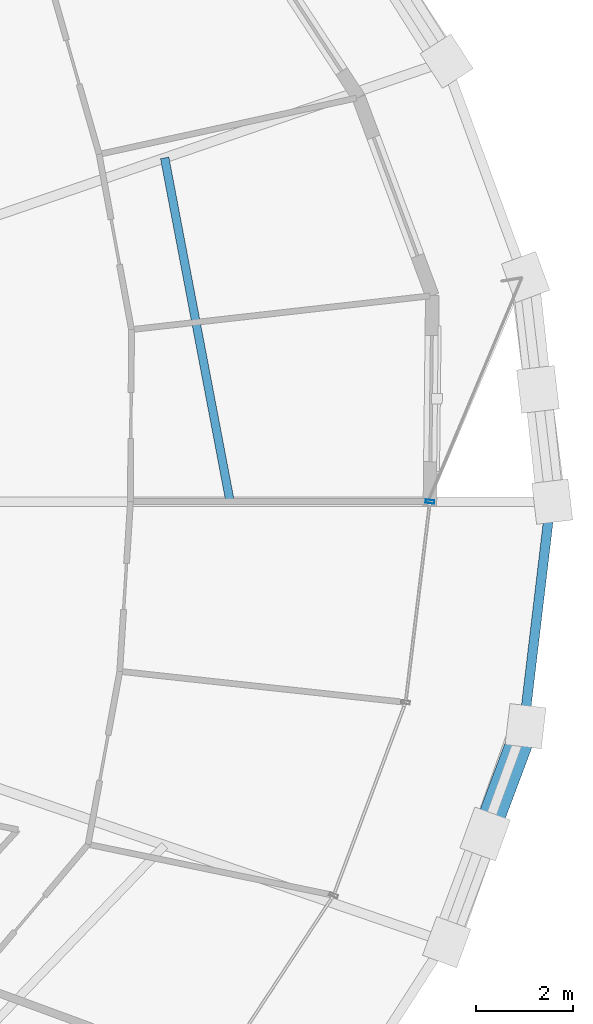
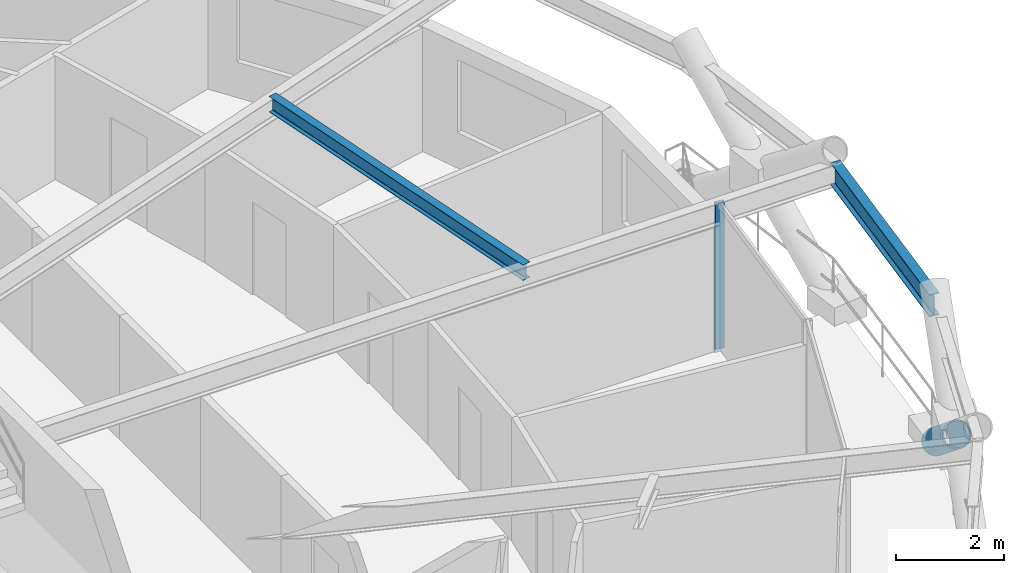
# One storey, part 11 of 21: 2 beams, 2 members, 1 element without a shape of its own.
"""IFC4 building model written with IfcOpenShell, lengths in metres."""

from ifc_helpers import new_model, si_unit, direction, frame, origin, origin_2d, place, context, subcontext, project, spatial, hollow_rectangle, hollow_circle, i_section, extrude, material, layer, layer_set, material_profile, profile_set, type_object, element, aggregate, save


model = new_model("IFC4")

# Units and contexts
model_context = context("Model", 3, precision=1e-05, world=origin(), true_north=direction((0.0, 1.0)))
body_context = subcontext(model_context, "Body", "Model", "MODEL_VIEW")
ifc_project = project(units=[si_unit("LENGTHUNIT", "METRE"), si_unit("AREAUNIT", "SQUARE_METRE"), si_unit("VOLUMEUNIT", "CUBIC_METRE"), si_unit("PLANEANGLEUNIT", "RADIAN"), si_unit("MASSUNIT", "GRAM", prefix="KILO")], contexts=[model_context])

# Site, building, storey
site_placement = place(None, origin())
site = spatial("IfcSite", under=ifc_project, at=site_placement, CompositionType="ELEMENT")
building_placement = place(site_placement, origin())
building = spatial("IfcBuilding", under=site, at=building_placement, Name="Veldorina Hangang Commons", CompositionType="ELEMENT")
storey_placement = place(building_placement, frame((0.0, 0.0, 128.0)))
storey = spatial("IfcBuildingStorey", under=building, at=storey_placement, Name="L32", CompositionType="ELEMENT", Elevation=128.0)

# Beams
ifc_material_1 = material(Name="Steel SM355-TMC", Category="steel")
ifc_material_profile_1 = material_profile(ifc_material_1, i_section(OverallWidth=0.175048828125, OverallDepth=0.35009765625, WebThickness=0.007080078125, FlangeThickness=0.010986328125, FilletRadius=0.012939453125, at=origin_2d()), Name="H-350x175x7x11")
ifc_profile_set_1 = profile_set([ifc_material_profile_1], Name="Steel SM355-TMC")
beam_type_1 = type_object("IfcBeamType", Name="BM-JST350", PredefinedType="JOIST", material=ifc_profile_set_1)
beam_1_placement = place(storey_placement, frame((53.94921875, 24.0, 3.175048828125), z_axis=(-0.186973554, 0.982364947514, 0.0), x_axis=(-0.982364947514, -0.186973554, 0.0)))
element("IfcBeam", 1, at=beam_1_placement, inside=storey, type_object=beam_type_1, Name="L32 secondary floor joist 01", PredefinedType="JOIST", context=body_context, shape_type="SweptSolid", body=[
    extrude(i_section(OverallWidth=0.175048828125, OverallDepth=0.35009765625, WebThickness=0.007080078125, FlangeThickness=0.010986328125, FilletRadius=0.012939453125, at=origin_2d()), origin(), (0.0, 0.0, 1.0), 7.20654296875),
])
ifc_material_2 = material(Name="Steel SM420-TMC", Category="steel")
ifc_material_profile_2 = material_profile(ifc_material_2, i_section(OverallWidth=0.199951171875, OverallDepth=0.5, WebThickness=0.010009765625, FlangeThickness=0.01611328125, FilletRadius=0.01611328125, at=origin_2d()), Name="H-500x200x10x16")
ifc_profile_set_2 = profile_set([ifc_material_profile_2], Name="Steel SM420-TMC")
beam_type_2 = type_object("IfcBeamType", Name="BM-RB500", PredefinedType="BEAM", material=ifc_profile_set_2)
beam_2_placement = place(storey_placement, frame((60.0009765625, 19.37939453125, 3.10009765625), z_axis=(0.117897542711, 0.993025764733, 0.0), x_axis=(-0.993025764733, 0.117897542711, 0.0)))
element("IfcBeam", 2, at=beam_2_placement, inside=storey, type_object=beam_type_2, Name="L32 perimeter hoop ring beam 31", PredefinedType="BEAM", context=body_context, shape_type="SweptSolid", body=[
    extrude(i_section(OverallWidth=0.199951171875, OverallDepth=0.5, WebThickness=0.010009765625, FlangeThickness=0.01611328125, FilletRadius=0.01611328125, at=origin_2d()), origin(), (0.0, 0.0, 1.0), 4.653076171875),
])

# Curtain wall, member
ifc_material_3 = material(Name="Glass Low-E Triple IGU", Category="glass")
ifc_layer = layer(ifc_material_3, 0.179931640625)
ifc_layer_set = layer_set([ifc_layer], Name="Glass Low-E Triple IGU")
curtain_wall_type = type_object("IfcCurtainWallType", Name="CW-SYS-Z2", PredefinedType="NOTDEFINED", material=ifc_layer_set)
curtain_wall_placement = place(storey_placement, origin())
curtain_wall = element("IfcCurtainWall", 3, at=curtain_wall_placement, inside=storey, type_object=curtain_wall_type, Name="L32 unitised curtain wall CW-L32-R2", PredefinedType="NOTDEFINED")
ifc_material_4 = material(Name="Aluminium Anodized AA6063-T6", Category="aluminium")
ifc_material_profile_3 = material_profile(ifc_material_4, hollow_rectangle(XDim=0.070068359375, YDim=0.179931640625, WallThickness=0.00390625, at=origin_2d()), Name="ALU-RHS-180x70x4")
ifc_profile_set_3 = profile_set([ifc_material_profile_3], Name="Aluminium Anodized AA6063-T6")
member_type_1 = type_object("IfcMemberType", Name="CW-MUL-180", PredefinedType="MULLION", material=ifc_profile_set_3)
member_1_placement = place(storey_placement, frame((58.0654296875, 24.0, 0.0), z_axis=(0.0, 0.0, 1.0), x_axis=(-0.120258126128, -0.992742657037, 0.0)))
member_1 = element("IfcMember", 4, at=member_1_placement, type_object=member_type_1, Name="CW-L32-R2 vertical mullion 5", PredefinedType="MULLION", context=body_context, shape_type="SweptSolid", body=[
    extrude(hollow_rectangle(XDim=0.070068359375, YDim=0.179931640625, WallThickness=0.00390625, at=origin_2d()), origin(), (0.0, 0.0, 1.0), 3.31005859375),
])
aggregate(curtain_wall, [member_1])

# Member
ifc_material_profile_4 = material_profile(ifc_material_2, hollow_circle(Radius=0.27490234375, WallThickness=0.028076171875, at=origin_2d()), Name="CHS-550x28")
ifc_profile_set_4 = profile_set([ifc_material_profile_4], Name="Steel SM420-TMC")
member_type_2 = type_object("IfcMemberType", Name="DG-CHS550", PredefinedType="BRACE", material=ifc_profile_set_4)
member_2_placement = place(storey_placement, frame((60.0361328125, 19.37451171875, 0.0), z_axis=(-0.279854556801, -0.745513516095, 0.604889266194), x_axis=(0.936210637294, -0.351439386833, 0.0)))
element("IfcMember", 5, at=member_2_placement, inside=storey, type_object=member_type_2, Name="L32 split perimeter diagrid lower brace 31", PredefinedType="BRACE", context=body_context, shape_type="SweptSolid", body=[
    extrude(hollow_circle(Radius=0.27490234375, WallThickness=0.028076171875, at=origin_2d()), origin(), (0.0, 0.0, 1.0), 2.9775390625),
])

save(model, "model.ifc")
